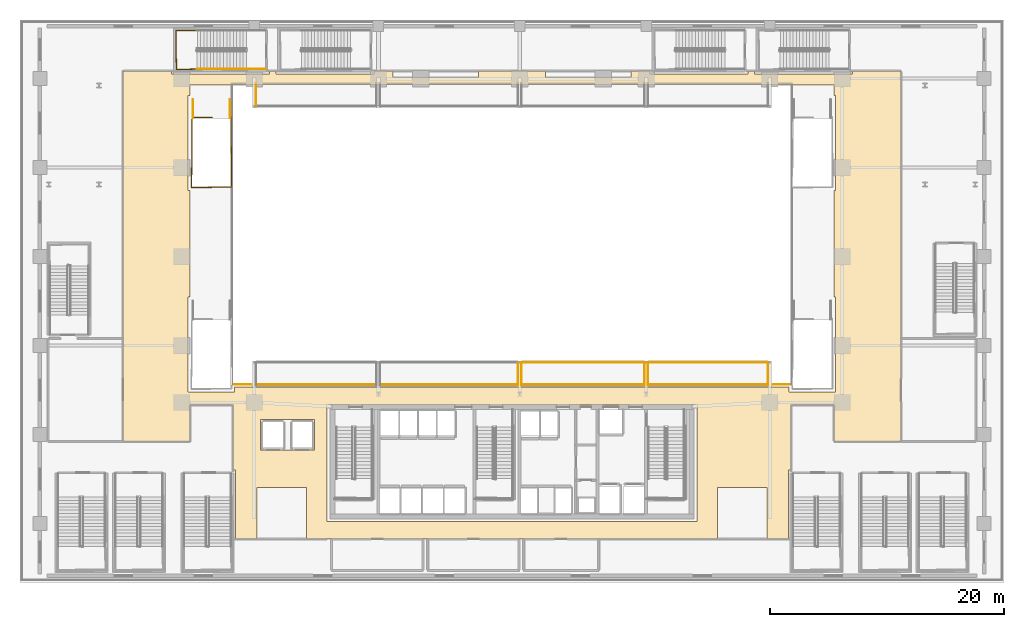
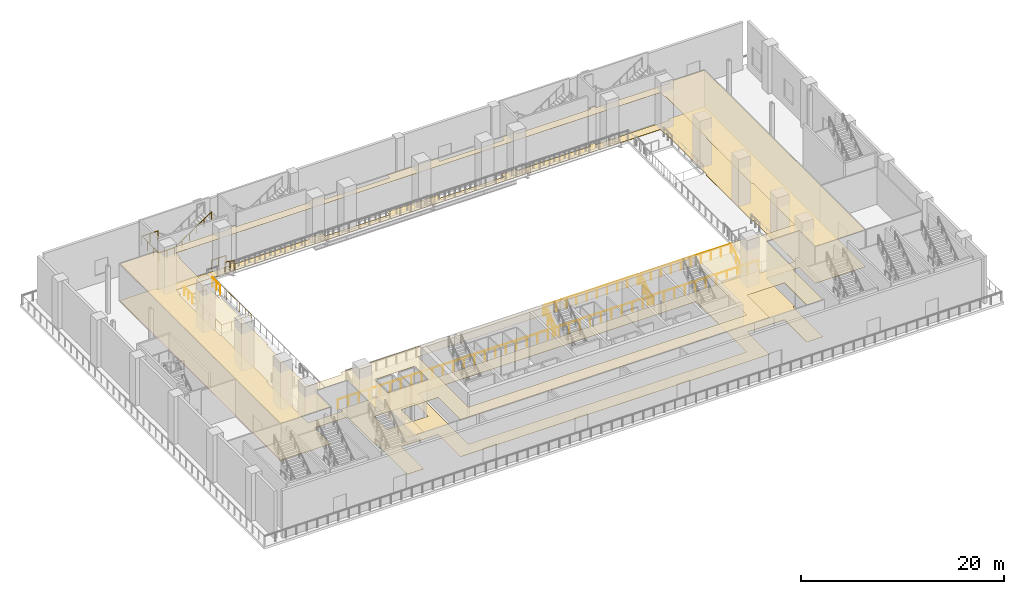
# One storey, part 20 of 28: 15 railings, 2 coverings.
"""IFC4 building model written with IfcOpenShell, lengths in metres."""

from ifc_helpers import new_model, si_unit, direction, frame, origin, origin_2d, place, context, subcontext, project, spatial, polyline, circle, outline, extrude, material, layer, layer_set, type_object, element, save


model = new_model("IFC4")

# Units and contexts
model_context = context("Model", 3, precision=1e-05, world=origin(), true_north=direction((0.0, 1.0)))
body_context = subcontext(model_context, "Body", "Model", "MODEL_VIEW")
ifc_project = project(units=[si_unit("LENGTHUNIT", "METRE"), si_unit("AREAUNIT", "SQUARE_METRE"), si_unit("VOLUMEUNIT", "CUBIC_METRE"), si_unit("PLANEANGLEUNIT", "RADIAN"), si_unit("MASSUNIT", "GRAM", prefix="KILO")], contexts=[model_context])

# Site, building, storey
site_placement = place(None, origin())
site = spatial("IfcSite", under=ifc_project, at=site_placement, CompositionType="ELEMENT")
building_placement = place(site_placement, origin())
building = spatial("IfcBuilding", under=site, at=building_placement, Name="Ndaravel Arena Tower", CompositionType="ELEMENT")
storey_placement = place(building_placement, frame((0.0, 0.0, 18.0)))
storey = spatial("IfcBuildingStorey", under=building, at=storey_placement, Name="L03", CompositionType="ELEMENT", Elevation=18.0)

# Coverings
ifc_material_1 = material(Name="Acoustic Ceiling Tile", Category="finish")
ifc_layer_1 = layer(ifc_material_1, 0.02490234375)
ifc_layer_set_1 = layer_set([ifc_layer_1], Name="Acoustic Ceiling Tile")
covering_type_1 = type_object("IfcCoveringType", Name="COV-CEIL-AC600", PredefinedType="CEILING", material=ifc_layer_set_1)
covering_1_placement = place(storey_placement, frame((0.0, 0.0, 4.43994140625)))
element("IfcCovering", 1, at=covering_1_placement, inside=storey, type_object=covering_type_1, Name="L03 Corridor Acoustic Ceiling", PredefinedType="CEILING", context=body_context, shape_type="SweptSolid", body=[
    extrude(outline(polyline([(59.550048828125, 3.699951171875), (59.550048828125, 8.10009765625), (63.75, 8.10009765625), (63.75, 3.699951171875), (65.60009765625, 3.699951171875), (65.60009765625, 9.60009765625), (65.800048828125, 9.60009765625), (65.800048828125, 15.14990234375), (69.5, 15.14990234375), (69.5, 12.0), (75.199951171875, 12.0), (75.199951171875, 43.64990234375), (71.050048828125, 43.64990234375), (71.050048828125, 43.409912109375), (62.699951171875, 43.409912109375), (62.699951171875, 43.64990234375), (62.14990234375, 43.64990234375), (62.14990234375, 43.409912109375), (53.800048828125, 43.409912109375), (53.800048828125, 43.64990234375), (52.14990234375, 43.64990234375), (52.14990234375, 43.110107421875), (44.85009765625, 43.110107421875), (44.85009765625, 43.64990234375), (39.14990234375, 43.64990234375), (39.14990234375, 43.110107421875), (31.85009765625, 43.110107421875), (31.85009765625, 43.64990234375), (30.199951171875, 43.64990234375), (30.199951171875, 43.409912109375), (21.85009765625, 43.409912109375), (21.85009765625, 43.64990234375), (21.300048828125, 43.64990234375), (21.300048828125, 43.409912109375), (12.949951171875, 43.409912109375), (12.949951171875, 43.64990234375), (8.800048828125, 43.64990234375), (8.800048828125, 12.0), (14.5, 12.0), (14.5, 15.14990234375), (18.199951171875, 15.14990234375), (18.199951171875, 9.60009765625), (18.39990234375, 9.60009765625), (18.39990234375, 3.699951171875), (20.25, 3.699951171875), (20.25, 8.10009765625), (24.449951171875, 8.10009765625), (24.449951171875, 3.699951171875), (26.199951171875, 3.699951171875), (57.800048828125, 3.699951171875), (59.550048828125, 3.699951171875)]), holes=[polyline([(69.5, 42.449951171875), (69.5, 41.550048828125), (69.610107421875, 41.550048828125), (69.610107421875, 33.449951171875), (69.5, 33.449951171875), (69.5, 24.35009765625), (69.610107421875, 24.35009765625), (69.610107421875, 16.25), (65.64990234375, 16.25), (65.64990234375, 16.64990234375), (18.31005859375, 16.64990234375), (18.31005859375, 16.25), (14.35009765625, 16.25), (14.35009765625, 24.35009765625), (14.5, 24.35009765625), (14.5, 33.449951171875), (14.35009765625, 33.449951171875), (14.35009765625, 41.550048828125), (14.5, 41.550048828125), (14.5, 42.449951171875), (69.5, 42.449951171875)]), polyline([(26.199951171875, 15.14990234375), (57.800048828125, 15.14990234375), (57.800048828125, 5.199951171875), (26.199951171875, 5.199951171875), (26.199951171875, 15.14990234375)]), polyline([(25.14990234375, 13.89990234375), (25.14990234375, 11.300048828125), (20.550048828125, 11.300048828125), (20.550048828125, 13.89990234375), (25.14990234375, 13.89990234375)])]), origin(), (0.0, 0.0, 1.0), 0.025146484375),
])
ifc_material_2 = material(Name="Terrazzo", Category="stone")
ifc_layer_2 = layer(ifc_material_2, 0.030029296875)
ifc_layer_set_2 = layer_set([ifc_layer_2], Name="Terrazzo")
covering_type_2 = type_object("IfcCoveringType", Name="COV-FLOOR-TERRAZZO", PredefinedType="FLOORING", material=ifc_layer_set_2)
covering_2_placement = place(storey_placement, origin())
element("IfcCovering", 2, at=covering_2_placement, inside=storey, type_object=covering_type_2, Name="L03 Corridor Terrazzo Flooring", PredefinedType="FLOORING", context=body_context, shape_type="SweptSolid", body=[
    extrude(outline(polyline([(59.550048828125, 3.699951171875), (59.550048828125, 8.10009765625), (63.75, 8.10009765625), (63.75, 3.699951171875), (65.60009765625, 3.699951171875), (65.60009765625, 9.60009765625), (65.800048828125, 9.60009765625), (65.800048828125, 15.14990234375), (69.5, 15.14990234375), (69.5, 12.0), (75.199951171875, 12.0), (75.199951171875, 43.64990234375), (71.050048828125, 43.64990234375), (71.050048828125, 43.409912109375), (62.699951171875, 43.409912109375), (62.699951171875, 43.64990234375), (62.14990234375, 43.64990234375), (62.14990234375, 43.409912109375), (53.800048828125, 43.409912109375), (53.800048828125, 43.64990234375), (52.14990234375, 43.64990234375), (52.14990234375, 43.110107421875), (44.85009765625, 43.110107421875), (44.85009765625, 43.64990234375), (39.14990234375, 43.64990234375), (39.14990234375, 43.110107421875), (31.85009765625, 43.110107421875), (31.85009765625, 43.64990234375), (30.199951171875, 43.64990234375), (30.199951171875, 43.409912109375), (21.85009765625, 43.409912109375), (21.85009765625, 43.64990234375), (21.300048828125, 43.64990234375), (21.300048828125, 43.409912109375), (12.949951171875, 43.409912109375), (12.949951171875, 43.64990234375), (8.800048828125, 43.64990234375), (8.800048828125, 12.0), (14.5, 12.0), (14.5, 15.14990234375), (18.199951171875, 15.14990234375), (18.199951171875, 9.60009765625), (18.39990234375, 9.60009765625), (18.39990234375, 3.699951171875), (20.25, 3.699951171875), (20.25, 8.10009765625), (24.449951171875, 8.10009765625), (24.449951171875, 3.699951171875), (26.199951171875, 3.699951171875), (57.800048828125, 3.699951171875), (59.550048828125, 3.699951171875)]), holes=[polyline([(69.5, 42.449951171875), (69.5, 41.550048828125), (69.610107421875, 41.550048828125), (69.610107421875, 33.449951171875), (69.5, 33.449951171875), (69.5, 24.35009765625), (69.610107421875, 24.35009765625), (69.610107421875, 16.25), (65.64990234375, 16.25), (65.64990234375, 16.64990234375), (18.31005859375, 16.64990234375), (18.31005859375, 16.25), (14.35009765625, 16.25), (14.35009765625, 24.35009765625), (14.5, 24.35009765625), (14.5, 33.449951171875), (14.35009765625, 33.449951171875), (14.35009765625, 41.550048828125), (14.5, 41.550048828125), (14.5, 42.449951171875), (69.5, 42.449951171875)]), polyline([(26.199951171875, 15.14990234375), (57.800048828125, 15.14990234375), (57.800048828125, 5.199951171875), (26.199951171875, 5.199951171875), (26.199951171875, 15.14990234375)]), polyline([(25.14990234375, 13.89990234375), (25.14990234375, 11.300048828125), (20.550048828125, 11.300048828125), (20.550048828125, 13.89990234375), (25.14990234375, 13.89990234375)])]), origin(), (0.0, 0.0, 1.0), 0.030029296875),
])

# Railings
ifc_material_3 = material(Name="Steel S355", Category="steel")
ifc_layer_3 = layer(ifc_material_3, 0.06005859375)
ifc_layer_set_3 = layer_set([ifc_layer_3], Name="Steel S355")
railing_type_1 = type_object("IfcRailingType", Name="RAIL-STAIR-GD1100", PredefinedType="GUARDRAIL", material=ifc_layer_set_3)
railing_1_placement = place(storey_placement, frame((15.1298828125, 47.090087890625, 3.0)))
element("IfcRailing", 3, at=railing_1_placement, inside=storey, type_object=railing_type_1, Name="L03 ST-A08 stair guard 2", PredefinedType="GUARDRAIL", context=body_context, shape_type="SweptSolid", body=[
    extrude(circle(Radius=0.02392578125, at=origin_2d()), frame((0.0, 0.0, 1.076171875), z_axis=(-1.0, 0.0, 0.0), x_axis=(0.0, -1.0, 0.0)), (0.0, 0.0, 1.0), 1.829833984375),
    extrude(circle(Radius=0.02392578125, at=origin_2d()), frame((-1.829833984375, 0.0, 1.076171875), z_axis=(0.015027628384, -0.999887078817, 0.0), x_axis=(0.999887078817, 0.015027628384, 0.0)), (0.0, 0.0, 1.0), 3.33056640625),
    extrude(circle(Radius=0.02392578125, at=origin_2d()), frame((-1.77978515625, -3.330078125, 1.076171875), z_axis=(0.999604847084, 0.028109601324, 0.0), x_axis=(-0.028109601324, 0.999604847084, 0.0)), (0.0, 0.0, 1.0), 1.780517578125),
    extrude(circle(Radius=0.02099609375, at=origin_2d()), origin(), (0.0, 0.0, 1.0), 1.052001953125),
    extrude(circle(Radius=0.02099609375, at=origin_2d()), frame((-0.9150390625, 0.0, 0.0)), (0.0, 0.0, 1.0), 1.052001953125),
    extrude(circle(Radius=0.02099609375, at=origin_2d()), frame((-1.829833984375, 0.0, 0.0)), (0.0, 0.0, 1.0), 1.052001953125),
    extrude(circle(Radius=0.02099609375, at=origin_2d()), frame((-1.813232421875, -1.110107421875, 0.0)), (0.0, 0.0, 1.0), 1.052001953125),
    extrude(circle(Radius=0.02099609375, at=origin_2d()), frame((-1.79638671875, -2.219970703125, 0.0)), (0.0, 0.0, 1.0), 1.052001953125),
    extrude(circle(Radius=0.02099609375, at=origin_2d()), frame((-1.77978515625, -3.330078125, 0.0)), (0.0, 0.0, 1.0), 1.052001953125),
    extrude(circle(Radius=0.02099609375, at=origin_2d()), frame((-0.889892578125, -3.30517578125, 0.0)), (0.0, 0.0, 1.0), 1.052001953125),
    extrude(circle(Radius=0.02099609375, at=origin_2d()), frame((0.0, -3.280029296875, 0.0)), (0.0, 0.0, 1.0), 1.052001953125),
])
railing_2_placement = place(storey_placement, frame((20.949951171875, 43.81005859375, 0.0)))
element("IfcRailing", 4, at=railing_2_placement, inside=storey, type_object=railing_type_1, Name="L03 ST-A08 stair guard 6", PredefinedType="GUARDRAIL", context=body_context, shape_type="SweptSolid", body=[
    extrude(circle(Radius=0.02392578125, at=origin_2d()), frame((0.0, 0.0, 1.076171875), z_axis=(-1.0, 0.0, 0.0), x_axis=(0.0, -1.0, 0.0)), (0.0, 0.0, 1.0), 1.619873046875),
    extrude(circle(Radius=0.02099609375, at=origin_2d()), origin(), (0.0, 0.0, 1.0), 1.052001953125),
    extrude(circle(Radius=0.02099609375, at=origin_2d()), frame((-0.81005859375, 0.0, 0.0)), (0.0, 0.0, 1.0), 1.052001953125),
    extrude(circle(Radius=0.02099609375, at=origin_2d()), frame((-1.619873046875, 0.0, 0.0)), (0.0, 0.0, 1.0), 1.052001953125),
])
railing_3_placement = place(storey_placement, frame((18.010009765625, 39.739990234375, 0.0)))
element("IfcRailing", 5, at=railing_3_placement, inside=storey, type_object=railing_type_1, Name="L03 ST-VOM-2 top well guard 1", PredefinedType="GUARDRAIL", context=body_context, shape_type="SweptSolid", body=[
    extrude(circle(Radius=0.02392578125, at=origin_2d()), frame((0.0, 0.0, 1.076171875), z_axis=(0.008355118995, -0.999965095384, 0.0), x_axis=(0.999965095384, 0.008355118995, 0.0)), (0.0, 0.0, 1.0), 5.990234375),
    extrude(circle(Radius=0.02392578125, at=origin_2d()), frame((0.050048828125, -5.989990234375, 1.076171875), z_axis=(-0.99989231899, -0.014674822837, 0.0), x_axis=(0.014674822837, -0.99989231899, 0.0)), (0.0, 0.0, 1.0), 3.41064453125),
    extrude(circle(Radius=0.02392578125, at=origin_2d()), frame((-3.360107421875, -6.0400390625, 1.076171875), z_axis=(0.008355118995, 0.999965095384, 0.0), x_axis=(-0.999965095384, 0.008355118995, 0.0)), (0.0, 0.0, 1.0), 5.990234375),
    extrude(circle(Radius=0.02392578125, at=origin_2d()), frame((-3.31005859375, -0.050048828125, 1.076171875), z_axis=(1.0, 0.0, 0.0), x_axis=(0.0, 1.0, 0.0)), (0.0, 0.0, 1.0), 1.699951171875),
    extrude(circle(Radius=0.02099609375, at=origin_2d()), origin(), (0.0, 0.0, 1.0), 1.052001953125),
    extrude(circle(Radius=0.02099609375, at=origin_2d()), frame((0.010009765625, -1.197998046875, 0.0)), (0.0, 0.0, 1.0), 1.052001953125),
    extrude(circle(Radius=0.02099609375, at=origin_2d()), frame((0.02001953125, -2.39599609375, 0.0)), (0.0, 0.0, 1.0), 1.052001953125),
    extrude(circle(Radius=0.02099609375, at=origin_2d()), frame((0.030029296875, -3.593994140625, 0.0)), (0.0, 0.0, 1.0), 1.052001953125),
    extrude(circle(Radius=0.02099609375, at=origin_2d()), frame((0.0400390625, -4.7919921875, 0.0)), (0.0, 0.0, 1.0), 1.052001953125),
    extrude(circle(Radius=0.02099609375, at=origin_2d()), frame((0.050048828125, -5.989990234375, 0.0)), (0.0, 0.0, 1.0), 1.052001953125),
    extrude(circle(Radius=0.02099609375, at=origin_2d()), frame((-1.086669921875, -6.006591796875, 0.0)), (0.0, 0.0, 1.0), 1.052001953125),
    extrude(circle(Radius=0.02099609375, at=origin_2d()), frame((-2.223388671875, -6.0234375, 0.0)), (0.0, 0.0, 1.0), 1.052001953125),
    extrude(circle(Radius=0.02099609375, at=origin_2d()), frame((-3.360107421875, -6.0400390625, 0.0)), (0.0, 0.0, 1.0), 1.052001953125),
    extrude(circle(Radius=0.02099609375, at=origin_2d()), frame((-3.35009765625, -4.842041015625, 0.0)), (0.0, 0.0, 1.0), 1.052001953125),
    extrude(circle(Radius=0.02099609375, at=origin_2d()), frame((-3.340087890625, -3.64404296875, 0.0)), (0.0, 0.0, 1.0), 1.052001953125),
    extrude(circle(Radius=0.02099609375, at=origin_2d()), frame((-3.330078125, -2.446044921875, 0.0)), (0.0, 0.0, 1.0), 1.052001953125),
    extrude(circle(Radius=0.02099609375, at=origin_2d()), frame((-3.320068359375, -1.248046875, 0.0)), (0.0, 0.0, 1.0), 1.052001953125),
    extrude(circle(Radius=0.02099609375, at=origin_2d()), frame((-3.31005859375, -0.050048828125, 0.0)), (0.0, 0.0, 1.0), 1.052001953125),
    extrude(circle(Radius=0.02099609375, at=origin_2d()), frame((-2.4599609375, -0.050048828125, 0.0)), (0.0, 0.0, 1.0), 1.052001953125),
    extrude(circle(Radius=0.02099609375, at=origin_2d()), frame((-1.610107421875, -0.050048828125, 0.0)), (0.0, 0.0, 1.0), 1.052001953125),
])
for number, where, name in (
    (6, (14.75, 41.199951171875, 0.0), "L03 ST-VOM-2 top well guard 2"),
    (7, (17.909912109375, 41.199951171875, 0.0), "L03 ST-VOM-2 top well guard 3"),
):
    element("IfcRailing", number, at=place(storey_placement, frame(where)), inside=storey, type_object=railing_type_1, Name=name, PredefinedType="GUARDRAIL", context=body_context, shape_type="SweptSolid", body=[
        extrude(circle(Radius=0.02392578125, at=origin_2d()), frame((0.0, 0.0, 1.076171875), z_axis=(0.0, -1.0, 0.0), x_axis=(1.0, 0.0, 0.0)), (0.0, 0.0, 1.0), 1.56005859375),
        extrude(circle(Radius=0.02099609375, at=origin_2d()), origin(), (0.0, 0.0, 1.0), 1.052001953125),
        extrude(circle(Radius=0.02099609375, at=origin_2d()), frame((0.0, -0.780029296875, 0.0)), (0.0, 0.0, 1.0), 1.052001953125),
        extrude(circle(Radius=0.02099609375, at=origin_2d()), frame((0.0, -1.56005859375, 0.0)), (0.0, 0.0, 1.0), 1.052001953125),
    ])
ifc_material_4 = material(Name="Steel S355", Category="steel")
ifc_layer_4 = layer(ifc_material_4, 0.050048828125)
ifc_layer_set_4 = layer_set([ifc_layer_4], Name="Steel S355")
railing_type_2 = type_object("IfcRailingType", Name="RAIL-STAIR-HR920", PredefinedType="HANDRAIL", material=ifc_layer_set_4)
railing_4_placement = place(storey_placement, frame((15.1298828125, 43.81005859375, 3.1875)))
element("IfcRailing", 8, at=railing_4_placement, inside=storey, type_object=railing_type_2, Name="L03 ST-A08 stair handrail 2", PredefinedType="HANDRAIL", context=body_context, shape_type="SweptSolid", body=[
    extrude(circle(Radius=0.02392578125, at=origin_2d()), frame((0.0, 0.0, 0.8759765625), z_axis=(0.830919138977, 0.0, 0.55639319234), x_axis=(0.0, 1.0, 0.0)), (0.0, 0.0, 1.0), 5.054931640625),
    extrude(circle(Radius=0.02099609375, at=origin_2d()), origin(), (0.0, 0.0, 1.0), 0.851806640625),
    extrude(circle(Radius=0.02099609375, at=origin_2d()), frame((0.840087890625, 0.0, 0.5625)), (0.0, 0.0, 1.0), 0.851806640625),
    extrude(circle(Radius=0.02099609375, at=origin_2d()), frame((1.68017578125, 0.0, 1.125)), (0.0, 0.0, 1.0), 0.851806640625),
    extrude(circle(Radius=0.02099609375, at=origin_2d()), frame((2.52001953125, 0.0, 1.6875)), (0.0, 0.0, 1.0), 0.851806640625),
    extrude(circle(Radius=0.02099609375, at=origin_2d()), frame((3.360107421875, 0.0, 2.25)), (0.0, 0.0, 1.0), 0.851806640625),
    extrude(circle(Radius=0.02099609375, at=origin_2d()), frame((4.2001953125, 0.0, 2.8125)), (0.0, 0.0, 1.0), 0.851806640625),
])
ifc_material_5 = material(Name="Glazing", Category="glass")
ifc_layer_5 = layer(ifc_material_5, 0.070068359375)
ifc_layer_set_5 = layer_set([ifc_layer_5], Name="Glazing")
railing_type_3 = type_object("IfcRailingType", Name="RAIL-TERRACE-1150", PredefinedType="BALUSTRADE", material=ifc_layer_set_5)
railing_5_placement = place(storey_placement, frame((18.1201171875, 16.8798828125, 0.0)))
element("IfcRailing", 9, at=railing_5_placement, inside=storey, type_object=railing_type_3, Name="L03 Arena Bowl Concourse S Balustrade", PredefinedType="BALUSTRADE", context=body_context, shape_type="SweptSolid", body=[
    extrude(circle(Radius=0.02392578125, at=origin_2d()), frame((0.0, 0.0, 1.1259765625), z_axis=(1.0, 0.0, 0.0), x_axis=(0.0, 1.0, 0.0)), (0.0, 0.0, 1.0), 47.759765625),
    extrude(circle(Radius=0.02099609375, at=origin_2d()), origin(), (0.0, 0.0, 1.0), 1.101806640625),
    extrude(circle(Radius=0.02099609375, at=origin_2d()), frame((1.194091796875, 0.0, 0.0)), (0.0, 0.0, 1.0), 1.101806640625),
    extrude(circle(Radius=0.02099609375, at=origin_2d()), frame((2.387939453125, 0.0, 0.0)), (0.0, 0.0, 1.0), 1.101806640625),
    extrude(circle(Radius=0.02099609375, at=origin_2d()), frame((3.58203125, 0.0, 0.0)), (0.0, 0.0, 1.0), 1.101806640625),
    extrude(circle(Radius=0.02099609375, at=origin_2d()), frame((4.77587890625, 0.0, 0.0)), (0.0, 0.0, 1.0), 1.101806640625),
    extrude(circle(Radius=0.02099609375, at=origin_2d()), frame((5.969970703125, 0.0, 0.0)), (0.0, 0.0, 1.0), 1.101806640625),
    extrude(circle(Radius=0.02099609375, at=origin_2d()), frame((7.1640625, 0.0, 0.0)), (0.0, 0.0, 1.0), 1.101806640625),
    extrude(circle(Radius=0.02099609375, at=origin_2d()), frame((8.35791015625, 0.0, 0.0)), (0.0, 0.0, 1.0), 1.101806640625),
    extrude(circle(Radius=0.02099609375, at=origin_2d()), frame((9.552001953125, 0.0, 0.0)), (0.0, 0.0, 1.0), 1.101806640625),
    extrude(circle(Radius=0.02099609375, at=origin_2d()), frame((10.745849609375, 0.0, 0.0)), (0.0, 0.0, 1.0), 1.101806640625),
    extrude(circle(Radius=0.02099609375, at=origin_2d()), frame((11.93994140625, 0.0, 0.0)), (0.0, 0.0, 1.0), 1.101806640625),
    extrude(circle(Radius=0.02099609375, at=origin_2d()), frame((13.134033203125, 0.0, 0.0)), (0.0, 0.0, 1.0), 1.101806640625),
    extrude(circle(Radius=0.02099609375, at=origin_2d()), frame((14.327880859375, 0.0, 0.0)), (0.0, 0.0, 1.0), 1.101806640625),
    extrude(circle(Radius=0.02099609375, at=origin_2d()), frame((15.52197265625, 0.0, 0.0)), (0.0, 0.0, 1.0), 1.101806640625),
    extrude(circle(Radius=0.02099609375, at=origin_2d()), frame((16.7158203125, 0.0, 0.0)), (0.0, 0.0, 1.0), 1.101806640625),
    extrude(circle(Radius=0.02099609375, at=origin_2d()), frame((17.909912109375, 0.0, 0.0)), (0.0, 0.0, 1.0), 1.101806640625),
    extrude(circle(Radius=0.02099609375, at=origin_2d()), frame((19.10400390625, 0.0, 0.0)), (0.0, 0.0, 1.0), 1.101806640625),
    extrude(circle(Radius=0.02099609375, at=origin_2d()), frame((20.2978515625, 0.0, 0.0)), (0.0, 0.0, 1.0), 1.101806640625),
    extrude(circle(Radius=0.02099609375, at=origin_2d()), frame((21.491943359375, 0.0, 0.0)), (0.0, 0.0, 1.0), 1.101806640625),
    extrude(circle(Radius=0.02099609375, at=origin_2d()), frame((22.685791015625, 0.0, 0.0)), (0.0, 0.0, 1.0), 1.101806640625),
    extrude(circle(Radius=0.02099609375, at=origin_2d()), frame((23.8798828125, 0.0, 0.0)), (0.0, 0.0, 1.0), 1.101806640625),
    extrude(circle(Radius=0.02099609375, at=origin_2d()), frame((25.073974609375, 0.0, 0.0)), (0.0, 0.0, 1.0), 1.101806640625),
    extrude(circle(Radius=0.02099609375, at=origin_2d()), frame((26.267822265625, 0.0, 0.0)), (0.0, 0.0, 1.0), 1.101806640625),
    extrude(circle(Radius=0.02099609375, at=origin_2d()), frame((27.4619140625, 0.0, 0.0)), (0.0, 0.0, 1.0), 1.101806640625),
    extrude(circle(Radius=0.02099609375, at=origin_2d()), frame((28.65576171875, 0.0, 0.0)), (0.0, 0.0, 1.0), 1.101806640625),
    extrude(circle(Radius=0.02099609375, at=origin_2d()), frame((29.849853515625, 0.0, 0.0)), (0.0, 0.0, 1.0), 1.101806640625),
    extrude(circle(Radius=0.02099609375, at=origin_2d()), frame((31.0439453125, 0.0, 0.0)), (0.0, 0.0, 1.0), 1.101806640625),
    extrude(circle(Radius=0.02099609375, at=origin_2d()), frame((32.23779296875, 0.0, 0.0)), (0.0, 0.0, 1.0), 1.101806640625),
    extrude(circle(Radius=0.02099609375, at=origin_2d()), frame((33.431884765625, 0.0, 0.0)), (0.0, 0.0, 1.0), 1.101806640625),
    extrude(circle(Radius=0.02099609375, at=origin_2d()), frame((34.625732421875, 0.0, 0.0)), (0.0, 0.0, 1.0), 1.101806640625),
    extrude(circle(Radius=0.02099609375, at=origin_2d()), frame((35.81982421875, 0.0, 0.0)), (0.0, 0.0, 1.0), 1.101806640625),
    extrude(circle(Radius=0.02099609375, at=origin_2d()), frame((37.013916015625, 0.0, 0.0)), (0.0, 0.0, 1.0), 1.101806640625),
    extrude(circle(Radius=0.02099609375, at=origin_2d()), frame((38.207763671875, 0.0, 0.0)), (0.0, 0.0, 1.0), 1.101806640625),
    extrude(circle(Radius=0.02099609375, at=origin_2d()), frame((39.40185546875, 0.0, 0.0)), (0.0, 0.0, 1.0), 1.101806640625),
    extrude(circle(Radius=0.02099609375, at=origin_2d()), frame((40.595703125, 0.0, 0.0)), (0.0, 0.0, 1.0), 1.101806640625),
    extrude(circle(Radius=0.02099609375, at=origin_2d()), frame((41.789794921875, 0.0, 0.0)), (0.0, 0.0, 1.0), 1.101806640625),
    extrude(circle(Radius=0.02099609375, at=origin_2d()), frame((42.98388671875, 0.0, 0.0)), (0.0, 0.0, 1.0), 1.101806640625),
    extrude(circle(Radius=0.02099609375, at=origin_2d()), frame((44.177734375, 0.0, 0.0)), (0.0, 0.0, 1.0), 1.101806640625),
    extrude(circle(Radius=0.02099609375, at=origin_2d()), frame((45.371826171875, 0.0, 0.0)), (0.0, 0.0, 1.0), 1.101806640625),
    extrude(circle(Radius=0.02099609375, at=origin_2d()), frame((46.565673828125, 0.0, 0.0)), (0.0, 0.0, 1.0), 1.101806640625),
    extrude(circle(Radius=0.02099609375, at=origin_2d()), frame((47.759765625, 0.0, 0.0)), (0.0, 0.0, 1.0), 1.101806640625),
])
railing_6_placement = place(storey_placement, frame((20.14990234375, 42.60009765625, 0.179931640625)))
element("IfcRailing", 10, at=railing_6_placement, inside=storey, type_object=railing_type_3, Name="L03 Upper North Stand Guard 1W", PredefinedType="BALUSTRADE", context=body_context, shape_type="SweptSolid", body=[
    extrude(circle(Radius=0.02392578125, at=origin_2d()), frame((0.0, 0.0, 1.1259765625), z_axis=(0.0, -0.818631776283, 0.574318739777), x_axis=(1.0, 0.0, 0.0)), (0.0, 0.0, 1.0), 2.333251953125),
    extrude(circle(Radius=0.02099609375, at=origin_2d()), origin(), (0.0, 0.0, 1.0), 1.101806640625),
    extrude(circle(Radius=0.02099609375, at=origin_2d()), frame((0.0, -0.955078125, 0.669921875)), (0.0, 0.0, 1.0), 1.101806640625),
    extrude(circle(Radius=0.02099609375, at=origin_2d()), frame((0.0, -1.91015625, 1.340087890625)), (0.0, 0.0, 1.0), 1.101806640625),
])
railing_7_placement = place(storey_placement, frame((42.5, 18.7099609375, 1.52001953125)))
element("IfcRailing", 11, at=railing_7_placement, inside=storey, type_object=railing_type_3, Name="L03 Upper South Stand Guard 2E", PredefinedType="BALUSTRADE", context=body_context, shape_type="SweptSolid", body=[
    extrude(circle(Radius=0.02392578125, at=origin_2d()), frame((0.0, 0.0, 1.1259765625), z_axis=(0.0, -0.818597260198, -0.574367935731), x_axis=(1.0, 0.0, 0.0)), (0.0, 0.0, 1.0), 2.333251953125),
    extrude(circle(Radius=0.02099609375, at=origin_2d()), origin(), (0.0, 0.0, 1.0), 1.101806640625),
    extrude(circle(Radius=0.02099609375, at=origin_2d()), frame((0.0, -0.955078125, -0.669921875)), (0.0, 0.0, 1.0), 1.101806640625),
    extrude(circle(Radius=0.02099609375, at=origin_2d()), frame((0.0, -1.909912109375, -1.340087890625)), (0.0, 0.0, 1.0), 1.101806640625),
])
railing_8_placement = place(storey_placement, frame((42.800048828125, 16.800048828125, 0.179931640625)))
element("IfcRailing", 12, at=railing_8_placement, inside=storey, type_object=railing_type_3, Name="L03 Upper South Stand Guard 3W", PredefinedType="BALUSTRADE", context=body_context, shape_type="SweptSolid", body=[
    extrude(circle(Radius=0.02392578125, at=origin_2d()), frame((0.0, 0.0, 1.1259765625), z_axis=(0.0, 0.818597260198, 0.574367935731), x_axis=(-1.0, 0.0, 0.0)), (0.0, 0.0, 1.0), 2.333251953125),
    extrude(circle(Radius=0.02099609375, at=origin_2d()), origin(), (0.0, 0.0, 1.0), 1.101806640625),
    extrude(circle(Radius=0.02099609375, at=origin_2d()), frame((0.0, 0.955078125, 0.669921875)), (0.0, 0.0, 1.0), 1.101806640625),
    extrude(circle(Radius=0.02099609375, at=origin_2d()), frame((0.0, 1.909912109375, 1.340087890625)), (0.0, 0.0, 1.0), 1.101806640625),
])
railing_9_placement = place(storey_placement, frame((42.840087890625, 18.75, 1.550048828125)))
element("IfcRailing", 13, at=railing_9_placement, inside=storey, type_object=railing_type_3, Name="L03 Upper South Stand Guard 3F", PredefinedType="BALUSTRADE", context=body_context, shape_type="SweptSolid", body=[
    extrude(circle(Radius=0.02392578125, at=origin_2d()), frame((0.0, 0.0, 1.1259765625), z_axis=(1.0, 0.0, 0.0), x_axis=(0.0, 1.0, 0.0)), (0.0, 0.0, 1.0), 10.419921875),
    extrude(circle(Radius=0.02099609375, at=origin_2d()), origin(), (0.0, 0.0, 1.0), 1.101806640625),
    extrude(circle(Radius=0.02099609375, at=origin_2d()), frame((1.15771484375, 0.0, 0.0)), (0.0, 0.0, 1.0), 1.101806640625),
    extrude(circle(Radius=0.02099609375, at=origin_2d()), frame((2.3154296875, 0.0, 0.0)), (0.0, 0.0, 1.0), 1.101806640625),
    extrude(circle(Radius=0.02099609375, at=origin_2d()), frame((3.473388671875, 0.0, 0.0)), (0.0, 0.0, 1.0), 1.101806640625),
    extrude(circle(Radius=0.02099609375, at=origin_2d()), frame((4.631103515625, 0.0, 0.0)), (0.0, 0.0, 1.0), 1.101806640625),
    extrude(circle(Radius=0.02099609375, at=origin_2d()), frame((5.788818359375, 0.0, 0.0)), (0.0, 0.0, 1.0), 1.101806640625),
    extrude(circle(Radius=0.02099609375, at=origin_2d()), frame((6.946533203125, 0.0, 0.0)), (0.0, 0.0, 1.0), 1.101806640625),
    extrude(circle(Radius=0.02099609375, at=origin_2d()), frame((8.1044921875, 0.0, 0.0)), (0.0, 0.0, 1.0), 1.101806640625),
    extrude(circle(Radius=0.02099609375, at=origin_2d()), frame((9.26220703125, 0.0, 0.0)), (0.0, 0.0, 1.0), 1.101806640625),
    extrude(circle(Radius=0.02099609375, at=origin_2d()), frame((10.419921875, 0.0, 0.0)), (0.0, 0.0, 1.0), 1.101806640625),
])
railing_10_placement = place(storey_placement, frame((53.300048828125, 18.7099609375, 1.52001953125)))
element("IfcRailing", 14, at=railing_10_placement, inside=storey, type_object=railing_type_3, Name="L03 Upper South Stand Guard 3E", PredefinedType="BALUSTRADE", context=body_context, shape_type="SweptSolid", body=[
    extrude(circle(Radius=0.02392578125, at=origin_2d()), frame((0.0, 0.0, 1.1259765625), z_axis=(0.0, -0.818597260198, -0.574367935731), x_axis=(1.0, 0.0, 0.0)), (0.0, 0.0, 1.0), 2.333251953125),
    extrude(circle(Radius=0.02099609375, at=origin_2d()), origin(), (0.0, 0.0, 1.0), 1.101806640625),
    extrude(circle(Radius=0.02099609375, at=origin_2d()), frame((0.0, -0.955078125, -0.669921875)), (0.0, 0.0, 1.0), 1.101806640625),
    extrude(circle(Radius=0.02099609375, at=origin_2d()), frame((0.0, -1.909912109375, -1.340087890625)), (0.0, 0.0, 1.0), 1.101806640625),
])
railing_11_placement = place(storey_placement, frame((53.60009765625, 16.800048828125, 0.179931640625)))
element("IfcRailing", 15, at=railing_11_placement, inside=storey, type_object=railing_type_3, Name="L03 Upper South Stand Guard 4W", PredefinedType="BALUSTRADE", context=body_context, shape_type="SweptSolid", body=[
    extrude(circle(Radius=0.02392578125, at=origin_2d()), frame((0.0, 0.0, 1.1259765625), z_axis=(0.0, 0.818597260198, 0.574367935731), x_axis=(-1.0, 0.0, 0.0)), (0.0, 0.0, 1.0), 2.333251953125),
    extrude(circle(Radius=0.02099609375, at=origin_2d()), origin(), (0.0, 0.0, 1.0), 1.101806640625),
    extrude(circle(Radius=0.02099609375, at=origin_2d()), frame((0.0, 0.955078125, 0.669921875)), (0.0, 0.0, 1.0), 1.101806640625),
    extrude(circle(Radius=0.02099609375, at=origin_2d()), frame((0.0, 1.909912109375, 1.340087890625)), (0.0, 0.0, 1.0), 1.101806640625),
])
railing_12_placement = place(storey_placement, frame((53.639892578125, 18.75, 1.550048828125)))
element("IfcRailing", 16, at=railing_12_placement, inside=storey, type_object=railing_type_3, Name="L03 Upper South Stand Guard 4F", PredefinedType="BALUSTRADE", context=body_context, shape_type="SweptSolid", body=[
    extrude(circle(Radius=0.02392578125, at=origin_2d()), frame((0.0, 0.0, 1.1259765625), z_axis=(1.0, 0.0, 0.0), x_axis=(0.0, 1.0, 0.0)), (0.0, 0.0, 1.0), 10.170166015625),
    extrude(circle(Radius=0.02099609375, at=origin_2d()), origin(), (0.0, 0.0, 1.0), 1.101806640625),
    extrude(circle(Radius=0.02099609375, at=origin_2d()), frame((1.130126953125, 0.0, 0.0)), (0.0, 0.0, 1.0), 1.101806640625),
    extrude(circle(Radius=0.02099609375, at=origin_2d()), frame((2.260009765625, 0.0, 0.0)), (0.0, 0.0, 1.0), 1.101806640625),
    extrude(circle(Radius=0.02099609375, at=origin_2d()), frame((3.39013671875, 0.0, 0.0)), (0.0, 0.0, 1.0), 1.101806640625),
    extrude(circle(Radius=0.02099609375, at=origin_2d()), frame((4.52001953125, 0.0, 0.0)), (0.0, 0.0, 1.0), 1.101806640625),
    extrude(circle(Radius=0.02099609375, at=origin_2d()), frame((5.650146484375, 0.0, 0.0)), (0.0, 0.0, 1.0), 1.101806640625),
    extrude(circle(Radius=0.02099609375, at=origin_2d()), frame((6.780029296875, 0.0, 0.0)), (0.0, 0.0, 1.0), 1.101806640625),
    extrude(circle(Radius=0.02099609375, at=origin_2d()), frame((7.91015625, 0.0, 0.0)), (0.0, 0.0, 1.0), 1.101806640625),
    extrude(circle(Radius=0.02099609375, at=origin_2d()), frame((9.0400390625, 0.0, 0.0)), (0.0, 0.0, 1.0), 1.101806640625),
    extrude(circle(Radius=0.02099609375, at=origin_2d()), frame((10.170166015625, 0.0, 0.0)), (0.0, 0.0, 1.0), 1.101806640625),
])
railing_13_placement = place(storey_placement, frame((63.85009765625, 18.7099609375, 1.52001953125)))
element("IfcRailing", 17, at=railing_13_placement, inside=storey, type_object=railing_type_3, Name="L03 Upper South Stand Guard 4E", PredefinedType="BALUSTRADE", context=body_context, shape_type="SweptSolid", body=[
    extrude(circle(Radius=0.02392578125, at=origin_2d()), frame((0.0, 0.0, 1.1259765625), z_axis=(0.0, -0.818597260198, -0.574367935731), x_axis=(1.0, 0.0, 0.0)), (0.0, 0.0, 1.0), 2.333251953125),
    extrude(circle(Radius=0.02099609375, at=origin_2d()), origin(), (0.0, 0.0, 1.0), 1.101806640625),
    extrude(circle(Radius=0.02099609375, at=origin_2d()), frame((0.0, -0.955078125, -0.669921875)), (0.0, 0.0, 1.0), 1.101806640625),
    extrude(circle(Radius=0.02099609375, at=origin_2d()), frame((0.0, -1.909912109375, -1.340087890625)), (0.0, 0.0, 1.0), 1.101806640625),
])

save(model, "model.ifc")
